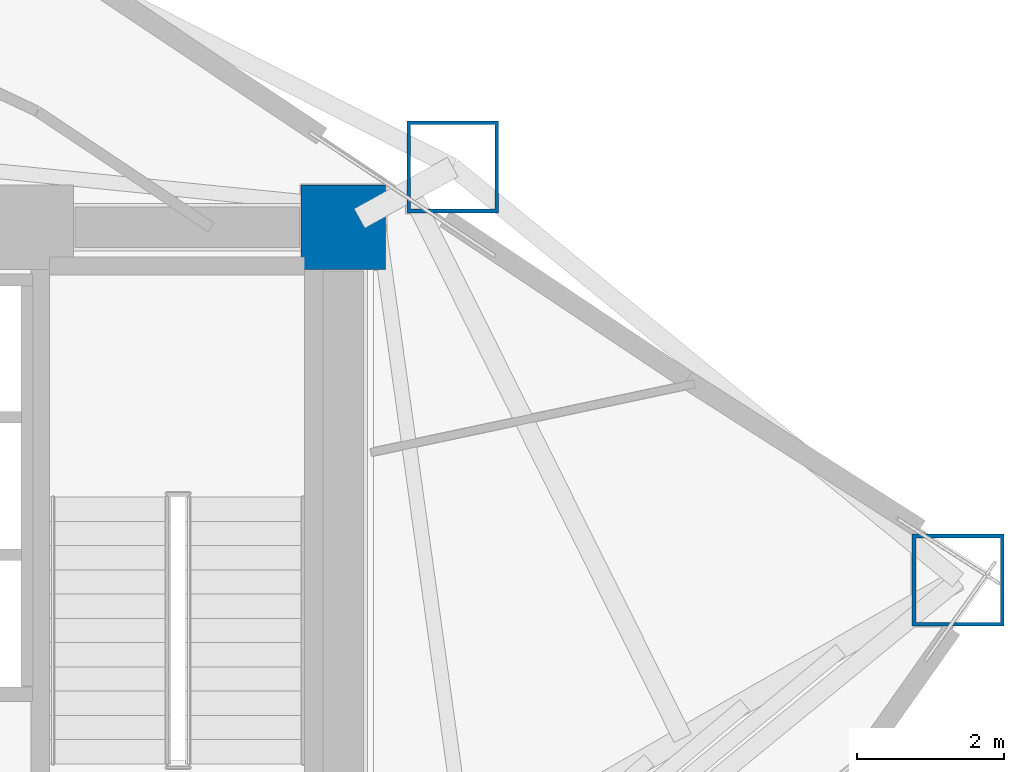
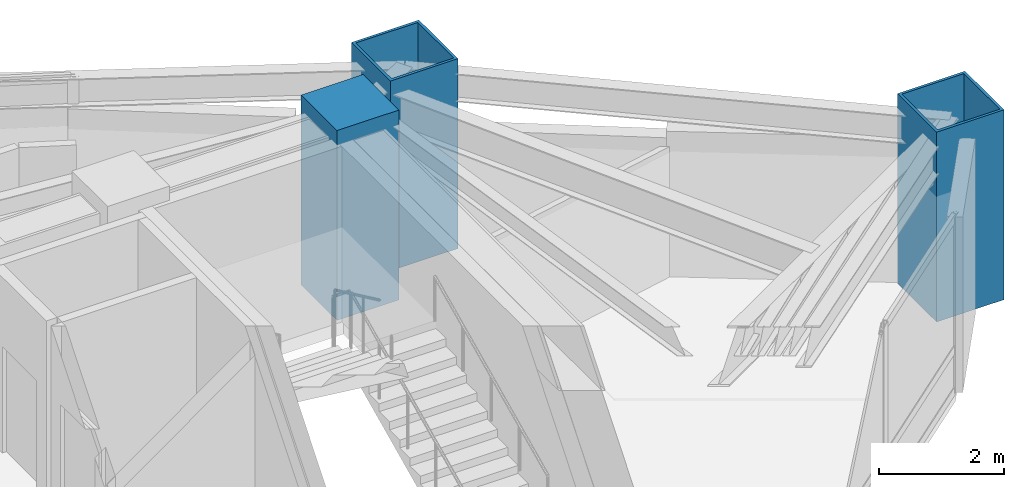
# One storey, part 2 of 25: 3 columns.
"""IFC4 building model written with IfcOpenShell, lengths in metres."""

from ifc_helpers import new_model, si_unit, direction, frame, origin, origin_2d, place, context, subcontext, project, spatial, rectangle, hollow_rectangle, extrude, material, material_profile, profile_set, type_object, element, save


model = new_model("IFC4")

# Units and contexts
model_context = context("Model", 3, precision=1e-05, world=origin(), true_north=direction((0.0, 1.0)))
body_context = subcontext(model_context, "Body", "Model", "MODEL_VIEW")
ifc_project = project(units=[si_unit("LENGTHUNIT", "METRE"), si_unit("AREAUNIT", "SQUARE_METRE"), si_unit("VOLUMEUNIT", "CUBIC_METRE"), si_unit("PLANEANGLEUNIT", "RADIAN"), si_unit("MASSUNIT", "GRAM", prefix="KILO")], contexts=[model_context])

# Site, building, storey
site_placement = place(None, origin())
site = spatial("IfcSite", under=ifc_project, at=site_placement, CompositionType="ELEMENT")
building_placement = place(site_placement, origin())
building = spatial("IfcBuilding", under=site, at=building_placement, Name="Menara Vayukalpa", CompositionType="ELEMENT")
storey_placement = place(building_placement, frame((0.0, 0.0, 115.139892578125)))
storey = spatial("IfcBuildingStorey", under=building, at=storey_placement, Name="L28", CompositionType="ELEMENT", Elevation=115.139892578125)

# Columns
ifc_material_1 = material(Name="Concrete C80/95", Category="concrete")
ifc_material_profile_1 = material_profile(ifc_material_1, rectangle(XDim=1.14990234375, YDim=1.14990234375, at=origin_2d()), Name="RC 1150x1150")
ifc_profile_set_1 = profile_set([ifc_material_profile_1], Name="Concrete C80/95")
column_type_1 = type_object("IfcColumnType", Name="COL-CC1", PredefinedType="COLUMN", material=ifc_profile_set_1)
column_placement = place(storey_placement, frame((33.39990234375, 26.800048828125, 0.0), z_axis=(0.0, 0.0, 1.0), x_axis=(1.0, 0.0, 0.0)))
element("IfcColumn", 1, at=column_placement, inside=storey, type_object=column_type_1, Name="L28 Core Pilaster Column CC8", PredefinedType="COLUMN", context=body_context, shape_type="SweptSolid", body=[
    extrude(rectangle(XDim=1.14990234375, YDim=1.14990234375, at=origin_2d()), origin(), (0.0, 0.0, 1.0), 3.72021484375),
])
ifc_material_2 = material(Name="Steel S460", Category="steel")
ifc_material_profile_2 = material_profile(ifc_material_2, hollow_rectangle(XDim=1.25, YDim=1.25, WallThickness=0.050048828125, at=origin_2d()), Name="BOX 1250x1250x50")
ifc_profile_set_2 = profile_set([ifc_material_profile_2], Name="Steel S460")
column_type_2 = type_object("IfcColumnType", Name="COL-MC2", PredefinedType="COLUMN", material=ifc_profile_set_2)
for number, where, z_axis, x_axis, name in (
    (2, (41.761962890625, 22.0, 0.0), (0.0, 0.0, 1.0), (1.0, 0.0, 0.0), "L28 Perimeter Mega Column P01"),
    (3, (34.88671875, 27.62158203125, 0.0), (0.0, 0.0, 1.0), (1.0, 0.0, 0.0), "L28 Perimeter Mega Column P02"),
):
    element("IfcColumn", number, at=place(storey_placement, frame(where, z_axis=z_axis, x_axis=x_axis)), inside=storey, type_object=column_type_2, Name=name, PredefinedType="COLUMN", context=body_context, shape_type="SweptSolid", body=[
        extrude(hollow_rectangle(XDim=1.25, YDim=1.25, WallThickness=0.050048828125, at=origin_2d()), origin(), (0.0, 0.0, 1.0), 3.72021484375),
    ])

save(model, "model.ifc")
